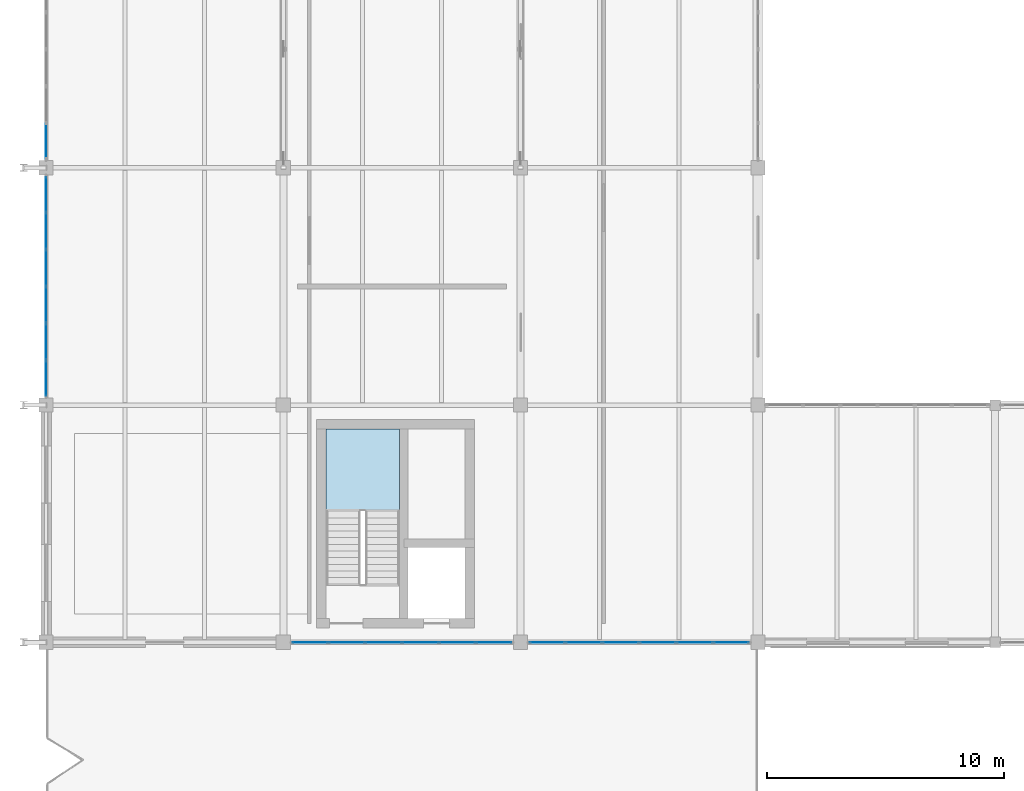
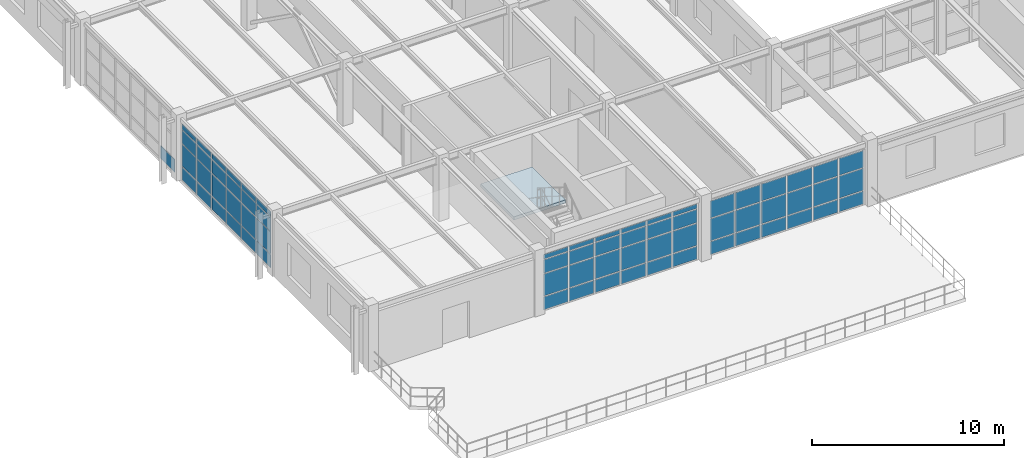
# One storey, part 73 of 122: 67 plates, 1 slab, 5 elements without a shape of their own.
"""IFC4 building model written with IfcOpenShell, lengths in metres."""

from ifc_helpers import new_model, si_unit, direction, frame, origin, origin_2d, place, context, subcontext, project, spatial, polyline, rectangle, outline, extrude, material, layer, layer_set, type_object, element, aggregate, save


model = new_model("IFC4")

# Units and contexts
model_context = context("Model", 3, precision=1e-05, world=origin(), true_north=direction((0.0, 1.0)))
body_context = subcontext(model_context, "Body", "Model", "MODEL_VIEW")
ifc_project = project(units=[si_unit("LENGTHUNIT", "METRE"), si_unit("AREAUNIT", "SQUARE_METRE"), si_unit("VOLUMEUNIT", "CUBIC_METRE"), si_unit("PLANEANGLEUNIT", "RADIAN"), si_unit("MASSUNIT", "GRAM", prefix="KILO"), si_unit("THERMODYNAMICTEMPERATUREUNIT", "KELVIN"), si_unit("POWERUNIT", "WATT")], contexts=[model_context])

# Site, building, storey
site_placement = place(None, origin())
site = spatial("IfcSite", under=ifc_project, at=site_placement, CompositionType="ELEMENT")
building_placement = place(site_placement, origin())
building = spatial("IfcBuilding", under=site, at=building_placement, Name="Korenveer Ferry Terminal", CompositionType="ELEMENT")
storey_placement = place(building_placement, frame((0.0, 0.0, 10.199951171875)))
storey = spatial("IfcBuildingStorey", under=building, at=storey_placement, Name="L02", CompositionType="ELEMENT", Elevation=10.199951171875)

# Curtain wall, plates
ifc_material_1 = material(Name="Unitised bronze-and-glass curtain wall", Category="glass")
ifc_layer_1 = layer(ifc_material_1, 0.159912109375)
ifc_layer_set_1 = layer_set([ifc_layer_1], Name="Unitised bronze-and-glass curtain wall")
curtain_wall_type_1 = type_object("IfcCurtainWallType", Name="ENV-CW-82", PredefinedType="USERDEFINED", material=ifc_layer_set_1)
curtain_wall_1_placement = place(storey_placement, frame((10.330078125, 20.0, 0.0)))
curtain_wall_1 = element("IfcCurtainWall", 1, at=curtain_wall_1_placement, inside=storey, type_object=curtain_wall_type_1, Name="Lancet curtain wall CWX-L02-X10-20-Y20-20", ObjectType="UNITISED CURTAIN WALL", PredefinedType="USERDEFINED")
ifc_material_2 = material(Name="Low-iron solar-control double glazing", Category="glass")
ifc_layer_2 = layer(ifc_material_2, 0.028076171875)
ifc_layer_set_2 = layer_set([ifc_layer_2], Name="Low-iron solar-control double glazing")
plate_type = type_object("IfcPlateType", Name="ENV-CWP-GLZ28", PredefinedType="CURTAIN_PANEL", material=ifc_layer_set_2)
plate_1_placement = place(storey_placement, frame((11.123291015625, 20.0, 0.06005859375), z_axis=(0.0, 0.0, 1.0), x_axis=(1.0, 0.0, 0.0)))
plate_1 = element("IfcPlate", 2, at=plate_1_placement, type_object=plate_type, Name="CW-82 panel 1.1", PredefinedType="CURTAIN_PANEL", context=body_context, shape_type="SweptSolid", body=[
    extrude(rectangle(XDim=1.466552734375, YDim=0.028076171875, at=origin_2d()), origin(), (0.0, 0.0, 1.0), 0.81005859375),
])
plate_2_placement = place(storey_placement, frame((11.123291015625, 20.0, 0.93017578125), z_axis=(0.0, 0.0, 1.0), x_axis=(1.0, 0.0, 0.0)))
plate_2 = element("IfcPlate", 3, at=plate_2_placement, type_object=plate_type, Name="CW-82 panel 1.2", PredefinedType="CURTAIN_PANEL", context=body_context, shape_type="SweptSolid", body=[
    extrude(rectangle(XDim=1.466552734375, YDim=0.028076171875, at=origin_2d()), origin(), (0.0, 0.0, 1.0), 1.389892578125),
])
plate_3_placement = place(storey_placement, frame((11.123291015625, 20.0, 2.3798828125), z_axis=(0.0, 0.0, 1.0), x_axis=(1.0, 0.0, 0.0)))
plate_3 = element("IfcPlate", 4, at=plate_3_placement, type_object=plate_type, Name="CW-82 panel 1.3", PredefinedType="CURTAIN_PANEL", context=body_context, shape_type="SweptSolid", body=[
    extrude(rectangle(XDim=1.466552734375, YDim=0.028076171875, at=origin_2d()), origin(), (0.0, 0.0, 1.0), 0.840087890625),
])
plate_4_placement = place(storey_placement, frame((11.123291015625, 20.0, 3.2802734375), z_axis=(0.0, 0.0, 1.0), x_axis=(1.0, 0.0, 0.0)))
plate_4 = element("IfcPlate", 5, at=plate_4_placement, type_object=plate_type, Name="CW-82 panel 1.4", PredefinedType="CURTAIN_PANEL", context=body_context, shape_type="SweptSolid", body=[
    extrude(rectangle(XDim=1.466552734375, YDim=0.028076171875, at=origin_2d()), origin(), (0.0, 0.0, 1.0), 0.280029296875),
])
plate_5_placement = place(storey_placement, frame((12.6650390625, 20.0, 0.06005859375), z_axis=(0.0, 0.0, 1.0), x_axis=(1.0, 0.0, 0.0)))
plate_5 = element("IfcPlate", 6, at=plate_5_placement, type_object=plate_type, Name="CW-82 panel 2.1", PredefinedType="CURTAIN_PANEL", context=body_context, shape_type="SweptSolid", body=[
    extrude(rectangle(XDim=1.49658203125, YDim=0.028076171875, at=origin_2d()), origin(), (0.0, 0.0, 1.0), 0.81005859375),
])
plate_6_placement = place(storey_placement, frame((12.6650390625, 20.0, 0.93017578125), z_axis=(0.0, 0.0, 1.0), x_axis=(1.0, 0.0, 0.0)))
plate_6 = element("IfcPlate", 7, at=plate_6_placement, type_object=plate_type, Name="CW-82 panel 2.2", PredefinedType="CURTAIN_PANEL", context=body_context, shape_type="SweptSolid", body=[
    extrude(rectangle(XDim=1.49658203125, YDim=0.028076171875, at=origin_2d()), origin(), (0.0, 0.0, 1.0), 1.389892578125),
])
plate_7_placement = place(storey_placement, frame((12.6650390625, 20.0, 2.3798828125), z_axis=(0.0, 0.0, 1.0), x_axis=(1.0, 0.0, 0.0)))
plate_7 = element("IfcPlate", 8, at=plate_7_placement, type_object=plate_type, Name="CW-82 panel 2.3", PredefinedType="CURTAIN_PANEL", context=body_context, shape_type="SweptSolid", body=[
    extrude(rectangle(XDim=1.49658203125, YDim=0.028076171875, at=origin_2d()), origin(), (0.0, 0.0, 1.0), 0.840087890625),
])
plate_8_placement = place(storey_placement, frame((12.6650390625, 20.0, 3.2802734375), z_axis=(0.0, 0.0, 1.0), x_axis=(1.0, 0.0, 0.0)))
plate_8 = element("IfcPlate", 9, at=plate_8_placement, type_object=plate_type, Name="CW-82 panel 2.4", PredefinedType="CURTAIN_PANEL", context=body_context, shape_type="SweptSolid", body=[
    extrude(rectangle(XDim=1.49658203125, YDim=0.028076171875, at=origin_2d()), origin(), (0.0, 0.0, 1.0), 0.280029296875),
])
plate_9_placement = place(storey_placement, frame((14.2216796875, 20.0, 0.06005859375), z_axis=(0.0, 0.0, 1.0), x_axis=(1.0, 0.0, 0.0)))
plate_9 = element("IfcPlate", 10, at=plate_9_placement, type_object=plate_type, Name="CW-82 panel 3.1", PredefinedType="CURTAIN_PANEL", context=body_context, shape_type="SweptSolid", body=[
    extrude(rectangle(XDim=1.49658203125, YDim=0.028076171875, at=origin_2d()), origin(), (0.0, 0.0, 1.0), 0.81005859375),
])
plate_10_placement = place(storey_placement, frame((14.2216796875, 20.0, 0.93017578125), z_axis=(0.0, 0.0, 1.0), x_axis=(1.0, 0.0, 0.0)))
plate_10 = element("IfcPlate", 11, at=plate_10_placement, type_object=plate_type, Name="CW-82 panel 3.2", PredefinedType="CURTAIN_PANEL", context=body_context, shape_type="SweptSolid", body=[
    extrude(rectangle(XDim=1.49658203125, YDim=0.028076171875, at=origin_2d()), origin(), (0.0, 0.0, 1.0), 1.389892578125),
])
plate_11_placement = place(storey_placement, frame((14.2216796875, 20.0, 2.3798828125), z_axis=(0.0, 0.0, 1.0), x_axis=(1.0, 0.0, 0.0)))
plate_11 = element("IfcPlate", 12, at=plate_11_placement, type_object=plate_type, Name="CW-82 panel 3.3", PredefinedType="CURTAIN_PANEL", context=body_context, shape_type="SweptSolid", body=[
    extrude(rectangle(XDim=1.49658203125, YDim=0.028076171875, at=origin_2d()), origin(), (0.0, 0.0, 1.0), 0.840087890625),
])
plate_12_placement = place(storey_placement, frame((14.2216796875, 20.0, 3.2802734375), z_axis=(0.0, 0.0, 1.0), x_axis=(1.0, 0.0, 0.0)))
plate_12 = element("IfcPlate", 13, at=plate_12_placement, type_object=plate_type, Name="CW-82 panel 3.4", PredefinedType="CURTAIN_PANEL", context=body_context, shape_type="SweptSolid", body=[
    extrude(rectangle(XDim=1.49658203125, YDim=0.028076171875, at=origin_2d()), origin(), (0.0, 0.0, 1.0), 0.280029296875),
])
plate_13_placement = place(storey_placement, frame((15.7783203125, 20.0, 0.06005859375), z_axis=(0.0, 0.0, 1.0), x_axis=(1.0, 0.0, 0.0)))
plate_13 = element("IfcPlate", 14, at=plate_13_placement, type_object=plate_type, Name="CW-82 panel 4.1", PredefinedType="CURTAIN_PANEL", context=body_context, shape_type="SweptSolid", body=[
    extrude(rectangle(XDim=1.49658203125, YDim=0.028076171875, at=origin_2d()), origin(), (0.0, 0.0, 1.0), 0.81005859375),
])
plate_14_placement = place(storey_placement, frame((15.7783203125, 20.0, 0.93017578125), z_axis=(0.0, 0.0, 1.0), x_axis=(1.0, 0.0, 0.0)))
plate_14 = element("IfcPlate", 15, at=plate_14_placement, type_object=plate_type, Name="CW-82 panel 4.2", PredefinedType="CURTAIN_PANEL", context=body_context, shape_type="SweptSolid", body=[
    extrude(rectangle(XDim=1.49658203125, YDim=0.028076171875, at=origin_2d()), origin(), (0.0, 0.0, 1.0), 1.389892578125),
])
plate_15_placement = place(storey_placement, frame((15.7783203125, 20.0, 2.3798828125), z_axis=(0.0, 0.0, 1.0), x_axis=(1.0, 0.0, 0.0)))
plate_15 = element("IfcPlate", 16, at=plate_15_placement, type_object=plate_type, Name="CW-82 panel 4.3", PredefinedType="CURTAIN_PANEL", context=body_context, shape_type="SweptSolid", body=[
    extrude(rectangle(XDim=1.49658203125, YDim=0.028076171875, at=origin_2d()), origin(), (0.0, 0.0, 1.0), 0.840087890625),
])
plate_16_placement = place(storey_placement, frame((15.7783203125, 20.0, 3.2802734375), z_axis=(0.0, 0.0, 1.0), x_axis=(1.0, 0.0, 0.0)))
plate_16 = element("IfcPlate", 17, at=plate_16_placement, type_object=plate_type, Name="CW-82 panel 4.4", PredefinedType="CURTAIN_PANEL", context=body_context, shape_type="SweptSolid", body=[
    extrude(rectangle(XDim=1.49658203125, YDim=0.028076171875, at=origin_2d()), origin(), (0.0, 0.0, 1.0), 0.280029296875),
])
plate_17_placement = place(storey_placement, frame((17.3349609375, 20.0, 0.06005859375), z_axis=(0.0, 0.0, 1.0), x_axis=(1.0, 0.0, 0.0)))
plate_17 = element("IfcPlate", 18, at=plate_17_placement, type_object=plate_type, Name="CW-82 panel 5.1", PredefinedType="CURTAIN_PANEL", context=body_context, shape_type="SweptSolid", body=[
    extrude(rectangle(XDim=1.49658203125, YDim=0.028076171875, at=origin_2d()), origin(), (0.0, 0.0, 1.0), 0.81005859375),
])
plate_18_placement = place(storey_placement, frame((17.3349609375, 20.0, 0.93017578125), z_axis=(0.0, 0.0, 1.0), x_axis=(1.0, 0.0, 0.0)))
plate_18 = element("IfcPlate", 19, at=plate_18_placement, type_object=plate_type, Name="CW-82 panel 5.2", PredefinedType="CURTAIN_PANEL", context=body_context, shape_type="SweptSolid", body=[
    extrude(rectangle(XDim=1.49658203125, YDim=0.028076171875, at=origin_2d()), origin(), (0.0, 0.0, 1.0), 1.389892578125),
])
plate_19_placement = place(storey_placement, frame((17.3349609375, 20.0, 2.3798828125), z_axis=(0.0, 0.0, 1.0), x_axis=(1.0, 0.0, 0.0)))
plate_19 = element("IfcPlate", 20, at=plate_19_placement, type_object=plate_type, Name="CW-82 panel 5.3", PredefinedType="CURTAIN_PANEL", context=body_context, shape_type="SweptSolid", body=[
    extrude(rectangle(XDim=1.49658203125, YDim=0.028076171875, at=origin_2d()), origin(), (0.0, 0.0, 1.0), 0.840087890625),
])
plate_20_placement = place(storey_placement, frame((17.3349609375, 20.0, 3.2802734375), z_axis=(0.0, 0.0, 1.0), x_axis=(1.0, 0.0, 0.0)))
plate_20 = element("IfcPlate", 21, at=plate_20_placement, type_object=plate_type, Name="CW-82 panel 5.4", PredefinedType="CURTAIN_PANEL", context=body_context, shape_type="SweptSolid", body=[
    extrude(rectangle(XDim=1.49658203125, YDim=0.028076171875, at=origin_2d()), origin(), (0.0, 0.0, 1.0), 0.280029296875),
])
plate_21_placement = place(storey_placement, frame((18.876708984375, 20.0, 0.06005859375), z_axis=(0.0, 0.0, 1.0), x_axis=(1.0, 0.0, 0.0)))
plate_21 = element("IfcPlate", 22, at=plate_21_placement, type_object=plate_type, Name="CW-82 panel 6.1", PredefinedType="CURTAIN_PANEL", context=body_context, shape_type="SweptSolid", body=[
    extrude(rectangle(XDim=1.466552734375, YDim=0.028076171875, at=origin_2d()), origin(), (0.0, 0.0, 1.0), 0.81005859375),
])
plate_22_placement = place(storey_placement, frame((18.876708984375, 20.0, 0.93017578125), z_axis=(0.0, 0.0, 1.0), x_axis=(1.0, 0.0, 0.0)))
plate_22 = element("IfcPlate", 23, at=plate_22_placement, type_object=plate_type, Name="CW-82 panel 6.2", PredefinedType="CURTAIN_PANEL", context=body_context, shape_type="SweptSolid", body=[
    extrude(rectangle(XDim=1.466552734375, YDim=0.028076171875, at=origin_2d()), origin(), (0.0, 0.0, 1.0), 1.389892578125),
])
plate_23_placement = place(storey_placement, frame((18.876708984375, 20.0, 2.3798828125), z_axis=(0.0, 0.0, 1.0), x_axis=(1.0, 0.0, 0.0)))
plate_23 = element("IfcPlate", 24, at=plate_23_placement, type_object=plate_type, Name="CW-82 panel 6.3", PredefinedType="CURTAIN_PANEL", context=body_context, shape_type="SweptSolid", body=[
    extrude(rectangle(XDim=1.466552734375, YDim=0.028076171875, at=origin_2d()), origin(), (0.0, 0.0, 1.0), 0.840087890625),
])
plate_24_placement = place(storey_placement, frame((18.876708984375, 20.0, 3.2802734375), z_axis=(0.0, 0.0, 1.0), x_axis=(1.0, 0.0, 0.0)))
plate_24 = element("IfcPlate", 25, at=plate_24_placement, type_object=plate_type, Name="CW-82 panel 6.4", PredefinedType="CURTAIN_PANEL", context=body_context, shape_type="SweptSolid", body=[
    extrude(rectangle(XDim=1.466552734375, YDim=0.028076171875, at=origin_2d()), origin(), (0.0, 0.0, 1.0), 0.280029296875),
])
aggregate(curtain_wall_1, [plate_1, plate_2, plate_3, plate_4, plate_5, plate_6, plate_7, plate_8, plate_9, plate_10, plate_11, plate_12, plate_13, plate_14, plate_15, plate_16, plate_17, plate_18, plate_19, plate_20, plate_21, plate_22, plate_23, plate_24])

ifc_layer_3 = layer(ifc_material_1, 0.159912109375)
ifc_layer_set_3 = layer_set([ifc_layer_3], Name="Unitised bronze-and-glass curtain wall")
curtain_wall_type_2 = type_object("IfcCurtainWallType", Name="ENV-CW-83", PredefinedType="USERDEFINED", material=ifc_layer_set_3)
curtain_wall_2_placement = place(storey_placement, frame((20.330078125, 20.0, 0.0)))
curtain_wall_2 = element("IfcCurtainWall", 26, at=curtain_wall_2_placement, inside=storey, type_object=curtain_wall_type_2, Name="Lancet curtain wall CWX-L02-X20-30-Y20-20", ObjectType="UNITISED CURTAIN WALL", PredefinedType="USERDEFINED")
plate_25_placement = place(storey_placement, frame((21.123291015625, 20.0, 0.06005859375), z_axis=(0.0, 0.0, 1.0), x_axis=(1.0, 0.0, 0.0)))
plate_25 = element("IfcPlate", 27, at=plate_25_placement, type_object=plate_type, Name="CW-83 panel 1.1", PredefinedType="CURTAIN_PANEL", context=body_context, shape_type="SweptSolid", body=[
    extrude(rectangle(XDim=1.466552734375, YDim=0.028076171875, at=origin_2d()), origin(), (0.0, 0.0, 1.0), 0.81005859375),
])
plate_26_placement = place(storey_placement, frame((21.123291015625, 20.0, 0.93017578125), z_axis=(0.0, 0.0, 1.0), x_axis=(1.0, 0.0, 0.0)))
plate_26 = element("IfcPlate", 28, at=plate_26_placement, type_object=plate_type, Name="CW-83 panel 1.2", PredefinedType="CURTAIN_PANEL", context=body_context, shape_type="SweptSolid", body=[
    extrude(rectangle(XDim=1.466552734375, YDim=0.028076171875, at=origin_2d()), origin(), (0.0, 0.0, 1.0), 1.389892578125),
])
plate_27_placement = place(storey_placement, frame((21.123291015625, 20.0, 2.380126953125), z_axis=(0.0, 0.0, 1.0), x_axis=(1.0, 0.0, 0.0)))
plate_27 = element("IfcPlate", 29, at=plate_27_placement, type_object=plate_type, Name="CW-83 panel 1.3", PredefinedType="CURTAIN_PANEL", context=body_context, shape_type="SweptSolid", body=[
    extrude(rectangle(XDim=1.466552734375, YDim=0.028076171875, at=origin_2d()), origin(), (0.0, 0.0, 1.0), 1.080078125),
])
plate_28_placement = place(storey_placement, frame((22.6650390625, 20.0, 0.06005859375), z_axis=(0.0, 0.0, 1.0), x_axis=(1.0, 0.0, 0.0)))
plate_28 = element("IfcPlate", 30, at=plate_28_placement, type_object=plate_type, Name="CW-83 panel 2.1", PredefinedType="CURTAIN_PANEL", context=body_context, shape_type="SweptSolid", body=[
    extrude(rectangle(XDim=1.49658203125, YDim=0.028076171875, at=origin_2d()), origin(), (0.0, 0.0, 1.0), 0.81005859375),
])
plate_29_placement = place(storey_placement, frame((22.6650390625, 20.0, 0.93017578125), z_axis=(0.0, 0.0, 1.0), x_axis=(1.0, 0.0, 0.0)))
plate_29 = element("IfcPlate", 31, at=plate_29_placement, type_object=plate_type, Name="CW-83 panel 2.2", PredefinedType="CURTAIN_PANEL", context=body_context, shape_type="SweptSolid", body=[
    extrude(rectangle(XDim=1.49658203125, YDim=0.028076171875, at=origin_2d()), origin(), (0.0, 0.0, 1.0), 1.389892578125),
])
plate_30_placement = place(storey_placement, frame((22.6650390625, 20.0, 2.380126953125), z_axis=(0.0, 0.0, 1.0), x_axis=(1.0, 0.0, 0.0)))
plate_30 = element("IfcPlate", 32, at=plate_30_placement, type_object=plate_type, Name="CW-83 panel 2.3", PredefinedType="CURTAIN_PANEL", context=body_context, shape_type="SweptSolid", body=[
    extrude(rectangle(XDim=1.49658203125, YDim=0.028076171875, at=origin_2d()), origin(), (0.0, 0.0, 1.0), 1.080078125),
])
plate_31_placement = place(storey_placement, frame((24.2216796875, 20.0, 0.06005859375), z_axis=(0.0, 0.0, 1.0), x_axis=(1.0, 0.0, 0.0)))
plate_31 = element("IfcPlate", 33, at=plate_31_placement, type_object=plate_type, Name="CW-83 panel 3.1", PredefinedType="CURTAIN_PANEL", context=body_context, shape_type="SweptSolid", body=[
    extrude(rectangle(XDim=1.49658203125, YDim=0.028076171875, at=origin_2d()), origin(), (0.0, 0.0, 1.0), 0.81005859375),
])
plate_32_placement = place(storey_placement, frame((24.2216796875, 20.0, 0.93017578125), z_axis=(0.0, 0.0, 1.0), x_axis=(1.0, 0.0, 0.0)))
plate_32 = element("IfcPlate", 34, at=plate_32_placement, type_object=plate_type, Name="CW-83 panel 3.2", PredefinedType="CURTAIN_PANEL", context=body_context, shape_type="SweptSolid", body=[
    extrude(rectangle(XDim=1.49658203125, YDim=0.028076171875, at=origin_2d()), origin(), (0.0, 0.0, 1.0), 1.389892578125),
])
plate_33_placement = place(storey_placement, frame((24.2216796875, 20.0, 2.380126953125), z_axis=(0.0, 0.0, 1.0), x_axis=(1.0, 0.0, 0.0)))
plate_33 = element("IfcPlate", 35, at=plate_33_placement, type_object=plate_type, Name="CW-83 panel 3.3", PredefinedType="CURTAIN_PANEL", context=body_context, shape_type="SweptSolid", body=[
    extrude(rectangle(XDim=1.49658203125, YDim=0.028076171875, at=origin_2d()), origin(), (0.0, 0.0, 1.0), 1.080078125),
])
plate_34_placement = place(storey_placement, frame((25.7783203125, 20.0, 0.06005859375), z_axis=(0.0, 0.0, 1.0), x_axis=(1.0, 0.0, 0.0)))
plate_34 = element("IfcPlate", 36, at=plate_34_placement, type_object=plate_type, Name="CW-83 panel 4.1", PredefinedType="CURTAIN_PANEL", context=body_context, shape_type="SweptSolid", body=[
    extrude(rectangle(XDim=1.49658203125, YDim=0.028076171875, at=origin_2d()), origin(), (0.0, 0.0, 1.0), 0.81005859375),
])
plate_35_placement = place(storey_placement, frame((25.7783203125, 20.0, 0.93017578125), z_axis=(0.0, 0.0, 1.0), x_axis=(1.0, 0.0, 0.0)))
plate_35 = element("IfcPlate", 37, at=plate_35_placement, type_object=plate_type, Name="CW-83 panel 4.2", PredefinedType="CURTAIN_PANEL", context=body_context, shape_type="SweptSolid", body=[
    extrude(rectangle(XDim=1.49658203125, YDim=0.028076171875, at=origin_2d()), origin(), (0.0, 0.0, 1.0), 1.389892578125),
])
plate_36_placement = place(storey_placement, frame((25.7783203125, 20.0, 2.380126953125), z_axis=(0.0, 0.0, 1.0), x_axis=(1.0, 0.0, 0.0)))
plate_36 = element("IfcPlate", 38, at=plate_36_placement, type_object=plate_type, Name="CW-83 panel 4.3", PredefinedType="CURTAIN_PANEL", context=body_context, shape_type="SweptSolid", body=[
    extrude(rectangle(XDim=1.49658203125, YDim=0.028076171875, at=origin_2d()), origin(), (0.0, 0.0, 1.0), 1.080078125),
])
plate_37_placement = place(storey_placement, frame((27.3349609375, 20.0, 0.06005859375), z_axis=(0.0, 0.0, 1.0), x_axis=(1.0, 0.0, 0.0)))
plate_37 = element("IfcPlate", 39, at=plate_37_placement, type_object=plate_type, Name="CW-83 panel 5.1", PredefinedType="CURTAIN_PANEL", context=body_context, shape_type="SweptSolid", body=[
    extrude(rectangle(XDim=1.49658203125, YDim=0.028076171875, at=origin_2d()), origin(), (0.0, 0.0, 1.0), 0.81005859375),
])
plate_38_placement = place(storey_placement, frame((27.3349609375, 20.0, 0.93017578125), z_axis=(0.0, 0.0, 1.0), x_axis=(1.0, 0.0, 0.0)))
plate_38 = element("IfcPlate", 40, at=plate_38_placement, type_object=plate_type, Name="CW-83 panel 5.2", PredefinedType="CURTAIN_PANEL", context=body_context, shape_type="SweptSolid", body=[
    extrude(rectangle(XDim=1.49658203125, YDim=0.028076171875, at=origin_2d()), origin(), (0.0, 0.0, 1.0), 1.389892578125),
])
plate_39_placement = place(storey_placement, frame((27.3349609375, 20.0, 2.380126953125), z_axis=(0.0, 0.0, 1.0), x_axis=(1.0, 0.0, 0.0)))
plate_39 = element("IfcPlate", 41, at=plate_39_placement, type_object=plate_type, Name="CW-83 panel 5.3", PredefinedType="CURTAIN_PANEL", context=body_context, shape_type="SweptSolid", body=[
    extrude(rectangle(XDim=1.49658203125, YDim=0.028076171875, at=origin_2d()), origin(), (0.0, 0.0, 1.0), 1.080078125),
])
plate_40_placement = place(storey_placement, frame((28.876708984375, 20.0, 0.06005859375), z_axis=(0.0, 0.0, 1.0), x_axis=(1.0, 0.0, 0.0)))
plate_40 = element("IfcPlate", 42, at=plate_40_placement, type_object=plate_type, Name="CW-83 panel 6.1", PredefinedType="CURTAIN_PANEL", context=body_context, shape_type="SweptSolid", body=[
    extrude(rectangle(XDim=1.466552734375, YDim=0.028076171875, at=origin_2d()), origin(), (0.0, 0.0, 1.0), 0.81005859375),
])
plate_41_placement = place(storey_placement, frame((28.876708984375, 20.0, 0.93017578125), z_axis=(0.0, 0.0, 1.0), x_axis=(1.0, 0.0, 0.0)))
plate_41 = element("IfcPlate", 43, at=plate_41_placement, type_object=plate_type, Name="CW-83 panel 6.2", PredefinedType="CURTAIN_PANEL", context=body_context, shape_type="SweptSolid", body=[
    extrude(rectangle(XDim=1.466552734375, YDim=0.028076171875, at=origin_2d()), origin(), (0.0, 0.0, 1.0), 1.389892578125),
])
plate_42_placement = place(storey_placement, frame((28.876708984375, 20.0, 2.380126953125), z_axis=(0.0, 0.0, 1.0), x_axis=(1.0, 0.0, 0.0)))
plate_42 = element("IfcPlate", 44, at=plate_42_placement, type_object=plate_type, Name="CW-83 panel 6.3", PredefinedType="CURTAIN_PANEL", context=body_context, shape_type="SweptSolid", body=[
    extrude(rectangle(XDim=1.466552734375, YDim=0.028076171875, at=origin_2d()), origin(), (0.0, 0.0, 1.0), 1.080078125),
])
aggregate(curtain_wall_2, [plate_25, plate_26, plate_27, plate_28, plate_29, plate_30, plate_31, plate_32, plate_33, plate_34, plate_35, plate_36, plate_37, plate_38, plate_39, plate_40, plate_41, plate_42])

ifc_layer_4 = layer(ifc_material_1, 0.159912109375)
ifc_layer_set_4 = layer_set([ifc_layer_4], Name="Unitised bronze-and-glass curtain wall")
curtain_wall_type_3 = type_object("IfcCurtainWallType", Name="ENV-CW-104", PredefinedType="USERDEFINED", material=ifc_layer_set_4)
curtain_wall_3_placement = place(storey_placement, frame((0.0, 30.330078125, 0.0)))
curtain_wall_3 = element("IfcCurtainWall", 45, at=curtain_wall_3_placement, inside=storey, type_object=curtain_wall_type_3, Name="Lancet curtain wall CWX-L02-X0-0-Y30-40", ObjectType="UNITISED CURTAIN WALL", PredefinedType="USERDEFINED")
plate_43_placement = place(storey_placement, frame((0.0, 31.123291015625, 0.06005859375), z_axis=(0.0, 0.0, 1.0), x_axis=(0.0, 1.0, 0.0)))
plate_43 = element("IfcPlate", 46, at=plate_43_placement, type_object=plate_type, Name="CW-104 panel 1.1", PredefinedType="CURTAIN_PANEL", context=body_context, shape_type="SweptSolid", body=[
    extrude(rectangle(XDim=1.466552734375, YDim=0.028076171875, at=origin_2d()), origin(), (0.0, 0.0, 1.0), 0.81005859375),
])
plate_44_placement = place(storey_placement, frame((0.0, 31.123291015625, 0.93017578125), z_axis=(0.0, 0.0, 1.0), x_axis=(0.0, 1.0, 0.0)))
plate_44 = element("IfcPlate", 47, at=plate_44_placement, type_object=plate_type, Name="CW-104 panel 1.2", PredefinedType="CURTAIN_PANEL", context=body_context, shape_type="SweptSolid", body=[
    extrude(rectangle(XDim=1.466552734375, YDim=0.028076171875, at=origin_2d()), origin(), (0.0, 0.0, 1.0), 1.389892578125),
])
plate_45_placement = place(storey_placement, frame((0.0, 31.123291015625, 2.3798828125), z_axis=(0.0, 0.0, 1.0), x_axis=(0.0, 1.0, 0.0)))
plate_45 = element("IfcPlate", 48, at=plate_45_placement, type_object=plate_type, Name="CW-104 panel 1.3", PredefinedType="CURTAIN_PANEL", context=body_context, shape_type="SweptSolid", body=[
    extrude(rectangle(XDim=1.466552734375, YDim=0.028076171875, at=origin_2d()), origin(), (0.0, 0.0, 1.0), 0.840087890625),
])
plate_46_placement = place(storey_placement, frame((0.0, 31.123291015625, 3.280029296875), z_axis=(0.0, 0.0, 1.0), x_axis=(0.0, 1.0, 0.0)))
plate_46 = element("IfcPlate", 49, at=plate_46_placement, type_object=plate_type, Name="CW-104 panel 1.4", PredefinedType="CURTAIN_PANEL", context=body_context, shape_type="SweptSolid", body=[
    extrude(rectangle(XDim=1.466552734375, YDim=0.028076171875, at=origin_2d()), origin(), (0.0, 0.0, 1.0), 0.330078125),
])
plate_47_placement = place(storey_placement, frame((0.0, 32.6650390625, 0.06005859375), z_axis=(0.0, 0.0, 1.0), x_axis=(0.0, 1.0, 0.0)))
plate_47 = element("IfcPlate", 50, at=plate_47_placement, type_object=plate_type, Name="CW-104 panel 2.1", PredefinedType="CURTAIN_PANEL", context=body_context, shape_type="SweptSolid", body=[
    extrude(rectangle(XDim=1.49658203125, YDim=0.028076171875, at=origin_2d()), origin(), (0.0, 0.0, 1.0), 0.81005859375),
])
plate_48_placement = place(storey_placement, frame((0.0, 32.6650390625, 0.93017578125), z_axis=(0.0, 0.0, 1.0), x_axis=(0.0, 1.0, 0.0)))
plate_48 = element("IfcPlate", 51, at=plate_48_placement, type_object=plate_type, Name="CW-104 panel 2.2", PredefinedType="CURTAIN_PANEL", context=body_context, shape_type="SweptSolid", body=[
    extrude(rectangle(XDim=1.49658203125, YDim=0.028076171875, at=origin_2d()), origin(), (0.0, 0.0, 1.0), 1.389892578125),
])
plate_49_placement = place(storey_placement, frame((0.0, 32.6650390625, 2.3798828125), z_axis=(0.0, 0.0, 1.0), x_axis=(0.0, 1.0, 0.0)))
plate_49 = element("IfcPlate", 52, at=plate_49_placement, type_object=plate_type, Name="CW-104 panel 2.3", PredefinedType="CURTAIN_PANEL", context=body_context, shape_type="SweptSolid", body=[
    extrude(rectangle(XDim=1.49658203125, YDim=0.028076171875, at=origin_2d()), origin(), (0.0, 0.0, 1.0), 0.840087890625),
])
plate_50_placement = place(storey_placement, frame((0.0, 32.6650390625, 3.280029296875), z_axis=(0.0, 0.0, 1.0), x_axis=(0.0, 1.0, 0.0)))
plate_50 = element("IfcPlate", 53, at=plate_50_placement, type_object=plate_type, Name="CW-104 panel 2.4", PredefinedType="CURTAIN_PANEL", context=body_context, shape_type="SweptSolid", body=[
    extrude(rectangle(XDim=1.49658203125, YDim=0.028076171875, at=origin_2d()), origin(), (0.0, 0.0, 1.0), 0.330078125),
])
plate_51_placement = place(storey_placement, frame((0.0, 34.2216796875, 0.06005859375), z_axis=(0.0, 0.0, 1.0), x_axis=(0.0, 1.0, 0.0)))
plate_51 = element("IfcPlate", 54, at=plate_51_placement, type_object=plate_type, Name="CW-104 panel 3.1", PredefinedType="CURTAIN_PANEL", context=body_context, shape_type="SweptSolid", body=[
    extrude(rectangle(XDim=1.49658203125, YDim=0.028076171875, at=origin_2d()), origin(), (0.0, 0.0, 1.0), 0.81005859375),
])
plate_52_placement = place(storey_placement, frame((0.0, 34.2216796875, 0.93017578125), z_axis=(0.0, 0.0, 1.0), x_axis=(0.0, 1.0, 0.0)))
plate_52 = element("IfcPlate", 55, at=plate_52_placement, type_object=plate_type, Name="CW-104 panel 3.2", PredefinedType="CURTAIN_PANEL", context=body_context, shape_type="SweptSolid", body=[
    extrude(rectangle(XDim=1.49658203125, YDim=0.028076171875, at=origin_2d()), origin(), (0.0, 0.0, 1.0), 1.389892578125),
])
plate_53_placement = place(storey_placement, frame((0.0, 34.2216796875, 2.3798828125), z_axis=(0.0, 0.0, 1.0), x_axis=(0.0, 1.0, 0.0)))
plate_53 = element("IfcPlate", 56, at=plate_53_placement, type_object=plate_type, Name="CW-104 panel 3.3", PredefinedType="CURTAIN_PANEL", context=body_context, shape_type="SweptSolid", body=[
    extrude(rectangle(XDim=1.49658203125, YDim=0.028076171875, at=origin_2d()), origin(), (0.0, 0.0, 1.0), 0.840087890625),
])
plate_54_placement = place(storey_placement, frame((0.0, 34.2216796875, 3.280029296875), z_axis=(0.0, 0.0, 1.0), x_axis=(0.0, 1.0, 0.0)))
plate_54 = element("IfcPlate", 57, at=plate_54_placement, type_object=plate_type, Name="CW-104 panel 3.4", PredefinedType="CURTAIN_PANEL", context=body_context, shape_type="SweptSolid", body=[
    extrude(rectangle(XDim=1.49658203125, YDim=0.028076171875, at=origin_2d()), origin(), (0.0, 0.0, 1.0), 0.330078125),
])
plate_55_placement = place(storey_placement, frame((0.0, 35.7783203125, 0.06005859375), z_axis=(0.0, 0.0, 1.0), x_axis=(0.0, 1.0, 0.0)))
plate_55 = element("IfcPlate", 58, at=plate_55_placement, type_object=plate_type, Name="CW-104 panel 4.1", PredefinedType="CURTAIN_PANEL", context=body_context, shape_type="SweptSolid", body=[
    extrude(rectangle(XDim=1.49658203125, YDim=0.028076171875, at=origin_2d()), origin(), (0.0, 0.0, 1.0), 0.81005859375),
])
plate_56_placement = place(storey_placement, frame((0.0, 35.7783203125, 0.93017578125), z_axis=(0.0, 0.0, 1.0), x_axis=(0.0, 1.0, 0.0)))
plate_56 = element("IfcPlate", 59, at=plate_56_placement, type_object=plate_type, Name="CW-104 panel 4.2", PredefinedType="CURTAIN_PANEL", context=body_context, shape_type="SweptSolid", body=[
    extrude(rectangle(XDim=1.49658203125, YDim=0.028076171875, at=origin_2d()), origin(), (0.0, 0.0, 1.0), 1.389892578125),
])
plate_57_placement = place(storey_placement, frame((0.0, 35.7783203125, 2.3798828125), z_axis=(0.0, 0.0, 1.0), x_axis=(0.0, 1.0, 0.0)))
plate_57 = element("IfcPlate", 60, at=plate_57_placement, type_object=plate_type, Name="CW-104 panel 4.3", PredefinedType="CURTAIN_PANEL", context=body_context, shape_type="SweptSolid", body=[
    extrude(rectangle(XDim=1.49658203125, YDim=0.028076171875, at=origin_2d()), origin(), (0.0, 0.0, 1.0), 0.840087890625),
])
plate_58_placement = place(storey_placement, frame((0.0, 35.7783203125, 3.280029296875), z_axis=(0.0, 0.0, 1.0), x_axis=(0.0, 1.0, 0.0)))
plate_58 = element("IfcPlate", 61, at=plate_58_placement, type_object=plate_type, Name="CW-104 panel 4.4", PredefinedType="CURTAIN_PANEL", context=body_context, shape_type="SweptSolid", body=[
    extrude(rectangle(XDim=1.49658203125, YDim=0.028076171875, at=origin_2d()), origin(), (0.0, 0.0, 1.0), 0.330078125),
])
plate_59_placement = place(storey_placement, frame((0.0, 37.3349609375, 0.06005859375), z_axis=(0.0, 0.0, 1.0), x_axis=(0.0, 1.0, 0.0)))
plate_59 = element("IfcPlate", 62, at=plate_59_placement, type_object=plate_type, Name="CW-104 panel 5.1", PredefinedType="CURTAIN_PANEL", context=body_context, shape_type="SweptSolid", body=[
    extrude(rectangle(XDim=1.49658203125, YDim=0.028076171875, at=origin_2d()), origin(), (0.0, 0.0, 1.0), 0.81005859375),
])
plate_60_placement = place(storey_placement, frame((0.0, 37.3349609375, 0.93017578125), z_axis=(0.0, 0.0, 1.0), x_axis=(0.0, 1.0, 0.0)))
plate_60 = element("IfcPlate", 63, at=plate_60_placement, type_object=plate_type, Name="CW-104 panel 5.2", PredefinedType="CURTAIN_PANEL", context=body_context, shape_type="SweptSolid", body=[
    extrude(rectangle(XDim=1.49658203125, YDim=0.028076171875, at=origin_2d()), origin(), (0.0, 0.0, 1.0), 1.389892578125),
])
plate_61_placement = place(storey_placement, frame((0.0, 37.3349609375, 2.3798828125), z_axis=(0.0, 0.0, 1.0), x_axis=(0.0, 1.0, 0.0)))
plate_61 = element("IfcPlate", 64, at=plate_61_placement, type_object=plate_type, Name="CW-104 panel 5.3", PredefinedType="CURTAIN_PANEL", context=body_context, shape_type="SweptSolid", body=[
    extrude(rectangle(XDim=1.49658203125, YDim=0.028076171875, at=origin_2d()), origin(), (0.0, 0.0, 1.0), 0.840087890625),
])
plate_62_placement = place(storey_placement, frame((0.0, 37.3349609375, 3.280029296875), z_axis=(0.0, 0.0, 1.0), x_axis=(0.0, 1.0, 0.0)))
plate_62 = element("IfcPlate", 65, at=plate_62_placement, type_object=plate_type, Name="CW-104 panel 5.4", PredefinedType="CURTAIN_PANEL", context=body_context, shape_type="SweptSolid", body=[
    extrude(rectangle(XDim=1.49658203125, YDim=0.028076171875, at=origin_2d()), origin(), (0.0, 0.0, 1.0), 0.330078125),
])
plate_63_placement = place(storey_placement, frame((0.0, 38.876708984375, 0.06005859375), z_axis=(0.0, 0.0, 1.0), x_axis=(0.0, 1.0, 0.0)))
plate_63 = element("IfcPlate", 66, at=plate_63_placement, type_object=plate_type, Name="CW-104 panel 6.1", PredefinedType="CURTAIN_PANEL", context=body_context, shape_type="SweptSolid", body=[
    extrude(rectangle(XDim=1.466552734375, YDim=0.028076171875, at=origin_2d()), origin(), (0.0, 0.0, 1.0), 0.81005859375),
])
plate_64_placement = place(storey_placement, frame((0.0, 38.876708984375, 0.93017578125), z_axis=(0.0, 0.0, 1.0), x_axis=(0.0, 1.0, 0.0)))
plate_64 = element("IfcPlate", 67, at=plate_64_placement, type_object=plate_type, Name="CW-104 panel 6.2", PredefinedType="CURTAIN_PANEL", context=body_context, shape_type="SweptSolid", body=[
    extrude(rectangle(XDim=1.466552734375, YDim=0.028076171875, at=origin_2d()), origin(), (0.0, 0.0, 1.0), 1.389892578125),
])
plate_65_placement = place(storey_placement, frame((0.0, 38.876708984375, 2.3798828125), z_axis=(0.0, 0.0, 1.0), x_axis=(0.0, 1.0, 0.0)))
plate_65 = element("IfcPlate", 68, at=plate_65_placement, type_object=plate_type, Name="CW-104 panel 6.3", PredefinedType="CURTAIN_PANEL", context=body_context, shape_type="SweptSolid", body=[
    extrude(rectangle(XDim=1.466552734375, YDim=0.028076171875, at=origin_2d()), origin(), (0.0, 0.0, 1.0), 0.840087890625),
])
plate_66_placement = place(storey_placement, frame((0.0, 38.876708984375, 3.280029296875), z_axis=(0.0, 0.0, 1.0), x_axis=(0.0, 1.0, 0.0)))
plate_66 = element("IfcPlate", 69, at=plate_66_placement, type_object=plate_type, Name="CW-104 panel 6.4", PredefinedType="CURTAIN_PANEL", context=body_context, shape_type="SweptSolid", body=[
    extrude(rectangle(XDim=1.466552734375, YDim=0.028076171875, at=origin_2d()), origin(), (0.0, 0.0, 1.0), 0.330078125),
])
aggregate(curtain_wall_3, [plate_43, plate_44, plate_45, plate_46, plate_47, plate_48, plate_49, plate_50, plate_51, plate_52, plate_53, plate_54, plate_55, plate_56, plate_57, plate_58, plate_59, plate_60, plate_61, plate_62, plate_63, plate_64, plate_65, plate_66])

# Curtain wall, plate
ifc_layer_5 = layer(ifc_material_1, 0.159912109375)
ifc_layer_set_5 = layer_set([ifc_layer_5], Name="Unitised bronze-and-glass curtain wall")
curtain_wall_type_4 = type_object("IfcCurtainWallType", Name="ENV-CW-105", PredefinedType="USERDEFINED", material=ifc_layer_set_5)
curtain_wall_4_placement = place(storey_placement, frame((0.0, 40.330078125, 0.0)))
curtain_wall_4 = element("IfcCurtainWall", 70, at=curtain_wall_4_placement, inside=storey, type_object=curtain_wall_type_4, Name="Lancet curtain wall CWX-L02-X0-0-Y40-50", ObjectType="UNITISED CURTAIN WALL", PredefinedType="USERDEFINED")
plate_67_placement = place(storey_placement, frame((0.0, 41.123291015625, 0.06005859375), z_axis=(0.0, 0.0, 1.0), x_axis=(0.0, 1.0, 0.0)))
plate_67 = element("IfcPlate", 71, at=plate_67_placement, type_object=plate_type, Name="CW-105 panel 1.1", PredefinedType="CURTAIN_PANEL", context=body_context, shape_type="SweptSolid", body=[
    extrude(rectangle(XDim=1.466552734375, YDim=0.028076171875, at=origin_2d()), origin(), (0.0, 0.0, 1.0), 0.81005859375),
])
aggregate(curtain_wall_4, [plate_67])

# Stair, slab
ifc_material_3 = material(Name="Concrete C40/50", Category="concrete")
stair_type = type_object("IfcStairType", Name="INT-ST-03", PredefinedType="HALF_TURN_STAIR", material=ifc_material_3)
stair_placement = place(storey_placement, frame((14.175048828125, 22.449951171875, 0.0)))
stair = element("IfcStair", 72, at=stair_placement, inside=storey, type_object=stair_type, Name="L02 West Firefighting Core K1", PredefinedType="HALF_TURN_STAIR")
ifc_layer_6 = layer(ifc_material_3, 0.199951171875)
ifc_layer_set_6 = layer_set([ifc_layer_6], Name="Concrete C40/50")
slab_type = type_object("IfcSlabType", Name="INT-SL-LAND200", PredefinedType="LANDING", material=ifc_layer_set_6)
slab_placement = place(storey_placement, frame((0.0, 0.0, 1.900146484375)))
slab = element("IfcSlab", 73, at=slab_placement, type_object=slab_type, Name="ST01 landing 1", PredefinedType="LANDING", context=body_context, shape_type="SweptSolid", body=[
    extrude(outline(polyline([(14.89990234375, 25.530029296875), (14.89990234375, 29.0), (11.800048828125, 29.0), (11.800048828125, 25.530029296875), (14.89990234375, 25.530029296875)])), origin(), (0.0, 0.0, 1.0), 0.199951171875),
])
aggregate(stair, [slab])

save(model, "model.ifc")
